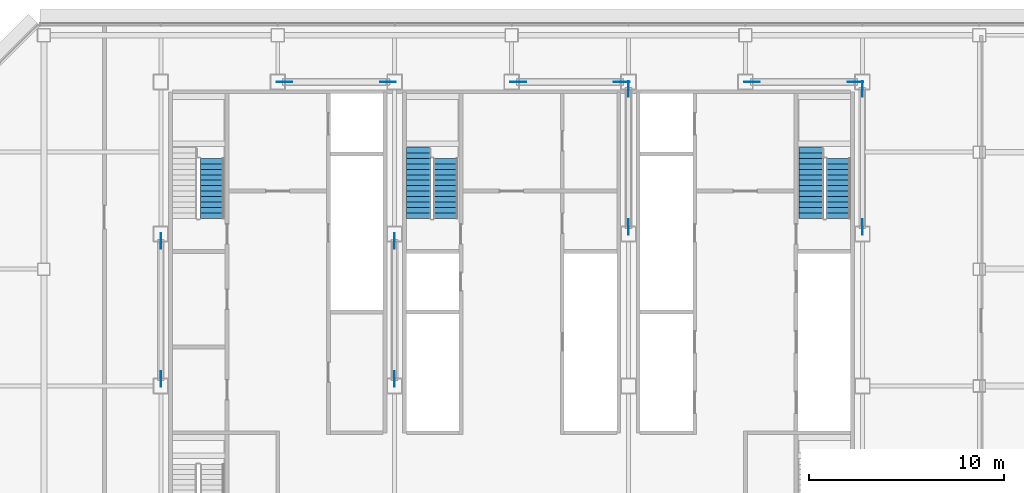
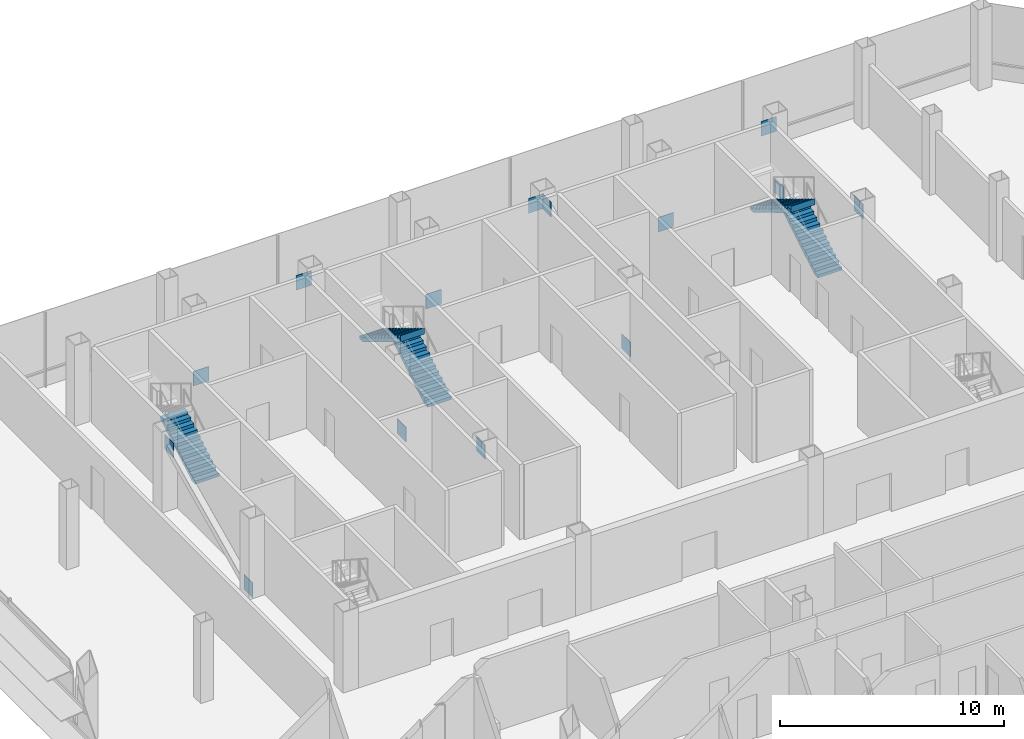
# One storey, part 23 of 26: 14 discrete accessories, 5 stair flights, 3 elements without a shape of their own.
"""IFC4 building model written with IfcOpenShell, lengths in metres."""

from ifc_helpers import new_model, si_unit, direction, frame, origin, origin_2d, place, context, subcontext, project, spatial, polyline, rectangle, outline, extrude, material, layer, layer_set, type_object, element, aggregate, save


model = new_model("IFC4")

# Units and contexts
model_context = context("Model", 3, precision=1e-05, world=origin(), true_north=direction((0.0, 1.0)))
body_context = subcontext(model_context, "Body", "Model", "MODEL_VIEW")
ifc_project = project(units=[si_unit("LENGTHUNIT", "METRE"), si_unit("AREAUNIT", "SQUARE_METRE"), si_unit("VOLUMEUNIT", "CUBIC_METRE"), si_unit("PLANEANGLEUNIT", "RADIAN"), si_unit("MASSUNIT", "GRAM", prefix="KILO")], contexts=[model_context])

# Site, building, storey
site_placement = place(None, origin())
site = spatial("IfcSite", under=ifc_project, at=site_placement, CompositionType="ELEMENT")
building_placement = place(site_placement, origin())
building = spatial("IfcBuilding", under=site, at=building_placement, Name="Sorahane Residences", CompositionType="ELEMENT")
storey_placement = place(building_placement, frame((0.0, 0.0, 181.60009765625)))
storey = spatial("IfcBuildingStorey", under=building, at=storey_placement, Name="L42", CompositionType="ELEMENT", Elevation=181.60009765625)

# Stair, stair flight
ifc_material_1 = material(Name="Concrete C40", Category="concrete")
stair_type = type_object("IfcStairType", Name="Dog-leg stair 1250 Concrete C40", PredefinedType="HALF_TURN_STAIR", material=ifc_material_1)
stair_1_placement = place(storey_placement, origin())
stair_1 = element("IfcStair", 1, at=stair_1_placement, inside=storey, type_object=stair_type, Name="L42 Stair S1", PredefinedType="HALF_TURN_STAIR")
ifc_material_2 = material(Name="Concrete C40", Category="concrete")
stair_flight_type = type_object("IfcStairFlightType", Name="Stair flight 1250 Concrete C40", PredefinedType="STRAIGHT", material=ifc_material_2)
stair_flight_1_placement = place(storey_placement, frame((8.625, 38.60009765625, 0.0), z_axis=(0.0, 0.0, 1.0), x_axis=(0.0, 1.0, 0.0)))
stair_flight_1 = element("IfcStairFlight", 2, at=stair_flight_1_placement, type_object=stair_flight_type, Name="S1 flight 1", NumberOfRisers=12, NumberOfTreads=11, PredefinedType="STRAIGHT", RiserHeight=0.169230769, TreadLength=0.28, context=body_context, shape_type="SweptSolid", body=[
    extrude(outline(polyline([(-0.00146484375, 0.0), (-0.00146484375, 0.169189453125), (0.0, 0.169189453125), (0.280029296875, 0.169189453125), (0.280029296875, 0.33837890625), (0.56005859375, 0.33837890625), (0.56005859375, 0.5078125), (0.840087890625, 0.5078125), (0.840087890625, 0.677001953125), (1.1201171875, 0.677001953125), (1.1201171875, 0.84619140625), (1.39990234375, 0.84619140625), (1.39990234375, 1.015380859375), (1.679931640625, 1.015380859375), (1.679931640625, 1.1845703125), (1.9599609375, 1.1845703125), (1.9599609375, 1.353759765625), (2.239990234375, 1.353759765625), (2.239990234375, 1.523193359375), (2.52001953125, 1.523193359375), (2.52001953125, 1.6923828125), (2.800048828125, 1.6923828125), (2.800048828125, 1.861572265625), (3.080078125, 1.861572265625), (3.080078125, 2.03076171875), (3.080078125, 1.686279296875), (2.865478515625, 1.556640625), (2.650634765625, 1.427001953125), (2.43603515625, 1.297119140625), (2.221435546875, 1.16748046875), (2.0068359375, 1.037841796875), (1.792236328125, 0.907958984375), (1.57763671875, 0.7783203125), (1.363037109375, 0.648681640625), (1.1484375, 0.518798828125), (0.93359375, 0.38916015625), (0.718994140625, 0.259521484375), (0.50439453125, 0.129638671875), (0.289794921875, 0.0), (-0.00146484375, 0.0)])), frame((0.0, 0.625, 0.0), z_axis=(0.0, -1.0, 0.0), x_axis=(1.0, 0.0, 0.0)), (0.0, 0.0, 1.0), 1.25),
])
aggregate(stair_1, [stair_flight_1])

# Stair, stair flights
stair_2_placement = place(storey_placement, origin())
stair_2 = element("IfcStair", 3, at=stair_2_placement, inside=storey, type_object=stair_type, Name="L42 Stair S2", PredefinedType="HALF_TURN_STAIR")
stair_flight_2_placement = place(storey_placement, frame((40.77490234375, 38.60009765625, 0.0), z_axis=(0.0, 0.0, 1.0), x_axis=(0.0, 1.0, 0.0)))
stair_flight_2 = element("IfcStairFlight", 4, at=stair_flight_2_placement, type_object=stair_flight_type, Name="S2 flight 1", NumberOfRisers=12, NumberOfTreads=11, PredefinedType="STRAIGHT", RiserHeight=0.169230769, TreadLength=0.28, context=body_context, shape_type="SweptSolid", body=[
    extrude(outline(polyline([(-0.00146484375, 0.0), (-0.00146484375, 0.169189453125), (0.0, 0.169189453125), (0.280029296875, 0.169189453125), (0.280029296875, 0.33837890625), (0.56005859375, 0.33837890625), (0.56005859375, 0.5078125), (0.840087890625, 0.5078125), (0.840087890625, 0.677001953125), (1.1201171875, 0.677001953125), (1.1201171875, 0.84619140625), (1.39990234375, 0.84619140625), (1.39990234375, 1.015380859375), (1.679931640625, 1.015380859375), (1.679931640625, 1.1845703125), (1.9599609375, 1.1845703125), (1.9599609375, 1.353759765625), (2.239990234375, 1.353759765625), (2.239990234375, 1.523193359375), (2.52001953125, 1.523193359375), (2.52001953125, 1.6923828125), (2.800048828125, 1.6923828125), (2.800048828125, 1.861572265625), (3.080078125, 1.861572265625), (3.080078125, 2.03076171875), (3.080078125, 1.686279296875), (2.865478515625, 1.556640625), (2.650634765625, 1.427001953125), (2.43603515625, 1.297119140625), (2.221435546875, 1.16748046875), (2.0068359375, 1.037841796875), (1.792236328125, 0.907958984375), (1.57763671875, 0.7783203125), (1.363037109375, 0.648681640625), (1.1484375, 0.518798828125), (0.93359375, 0.38916015625), (0.718994140625, 0.259521484375), (0.50439453125, 0.129638671875), (0.289794921875, 0.0), (-0.00146484375, 0.0)])), frame((0.0, 0.625, 0.0), z_axis=(0.0, -1.0, 0.0), x_axis=(1.0, 0.0, 0.0)), (0.0, 0.0, 1.0), 1.25),
])
stair_flight_3_placement = place(storey_placement, frame((39.375, 42.239990234375, 2.03076171875), z_axis=(0.0, 0.0, 1.0), x_axis=(0.0, -1.0, 0.0)))
stair_flight_3 = element("IfcStairFlight", 5, at=stair_flight_3_placement, type_object=stair_flight_type, Name="S2 flight 2", NumberOfRisers=14, NumberOfTreads=13, PredefinedType="STRAIGHT", RiserHeight=0.169230769, TreadLength=0.28, context=body_context, shape_type="SweptSolid", body=[
    extrude(outline(polyline([(-0.00146484375, 0.0), (-0.00146484375, 0.169189453125), (0.0, 0.169189453125), (0.280029296875, 0.169189453125), (0.280029296875, 0.33837890625), (0.56005859375, 0.33837890625), (0.56005859375, 0.5078125), (0.840087890625, 0.5078125), (0.840087890625, 0.677001953125), (1.1201171875, 0.677001953125), (1.1201171875, 0.84619140625), (1.39990234375, 0.84619140625), (1.39990234375, 1.015380859375), (1.679931640625, 1.015380859375), (1.679931640625, 1.1845703125), (1.9599609375, 1.1845703125), (1.9599609375, 1.353759765625), (2.239990234375, 1.353759765625), (2.239990234375, 1.523193359375), (2.52001953125, 1.523193359375), (2.52001953125, 1.6923828125), (2.800048828125, 1.6923828125), (2.800048828125, 1.861572265625), (3.080078125, 1.861572265625), (3.080078125, 2.03076171875), (3.360107421875, 2.03076171875), (3.360107421875, 2.199951171875), (3.639892578125, 2.199951171875), (3.639892578125, 2.369140625), (3.6416015625, 2.369140625), (3.6416015625, 2.02490234375), (3.41796875, 1.889892578125), (3.194580078125, 1.7548828125), (2.97119140625, 1.619873046875), (2.747802734375, 1.48486328125), (2.524169921875, 1.349853515625), (2.30078125, 1.21484375), (2.077392578125, 1.079833984375), (1.85400390625, 0.94482421875), (1.63037109375, 0.81005859375), (1.406982421875, 0.675048828125), (1.18359375, 0.5400390625), (0.960205078125, 0.405029296875), (0.73681640625, 0.27001953125), (0.51318359375, 0.135009765625), (0.289794921875, 0.0), (-0.00146484375, 0.0)])), frame((0.0, 0.625, 0.0), z_axis=(0.0, -1.0, 0.0), x_axis=(1.0, 0.0, 0.0)), (0.0, 0.0, 1.0), 1.25),
])
aggregate(stair_2, [stair_flight_2, stair_flight_3])

stair_3_placement = place(storey_placement, origin())
stair_3 = element("IfcStair", 6, at=stair_3_placement, inside=storey, type_object=stair_type, Name="L42 Stair S3", PredefinedType="HALF_TURN_STAIR")
stair_flight_4_placement = place(storey_placement, frame((20.625, 38.60009765625, 0.0), z_axis=(0.0, 0.0, 1.0), x_axis=(0.0, 1.0, 0.0)))
stair_flight_4 = element("IfcStairFlight", 7, at=stair_flight_4_placement, type_object=stair_flight_type, Name="S3 flight 1", NumberOfRisers=12, NumberOfTreads=11, PredefinedType="STRAIGHT", RiserHeight=0.169230769, TreadLength=0.28, context=body_context, shape_type="SweptSolid", body=[
    extrude(outline(polyline([(-0.00146484375, 0.0), (-0.00146484375, 0.169189453125), (0.0, 0.169189453125), (0.280029296875, 0.169189453125), (0.280029296875, 0.33837890625), (0.56005859375, 0.33837890625), (0.56005859375, 0.5078125), (0.840087890625, 0.5078125), (0.840087890625, 0.677001953125), (1.1201171875, 0.677001953125), (1.1201171875, 0.84619140625), (1.39990234375, 0.84619140625), (1.39990234375, 1.015380859375), (1.679931640625, 1.015380859375), (1.679931640625, 1.1845703125), (1.9599609375, 1.1845703125), (1.9599609375, 1.353759765625), (2.239990234375, 1.353759765625), (2.239990234375, 1.523193359375), (2.52001953125, 1.523193359375), (2.52001953125, 1.6923828125), (2.800048828125, 1.6923828125), (2.800048828125, 1.861572265625), (3.080078125, 1.861572265625), (3.080078125, 2.03076171875), (3.080078125, 1.686279296875), (2.865478515625, 1.556640625), (2.650634765625, 1.427001953125), (2.43603515625, 1.297119140625), (2.221435546875, 1.16748046875), (2.0068359375, 1.037841796875), (1.792236328125, 0.907958984375), (1.57763671875, 0.7783203125), (1.363037109375, 0.648681640625), (1.1484375, 0.518798828125), (0.93359375, 0.38916015625), (0.718994140625, 0.259521484375), (0.50439453125, 0.129638671875), (0.289794921875, 0.0), (-0.00146484375, 0.0)])), frame((0.0, 0.625, 0.0), z_axis=(0.0, -1.0, 0.0), x_axis=(1.0, 0.0, 0.0)), (0.0, 0.0, 1.0), 1.25),
])
stair_flight_5_placement = place(storey_placement, frame((19.22509765625, 42.239990234375, 2.03076171875), z_axis=(0.0, 0.0, 1.0), x_axis=(0.0, -1.0, 0.0)))
stair_flight_5 = element("IfcStairFlight", 8, at=stair_flight_5_placement, type_object=stair_flight_type, Name="S3 flight 2", NumberOfRisers=14, NumberOfTreads=13, PredefinedType="STRAIGHT", RiserHeight=0.169230769, TreadLength=0.28, context=body_context, shape_type="SweptSolid", body=[
    extrude(outline(polyline([(-0.00146484375, 0.0), (-0.00146484375, 0.169189453125), (0.0, 0.169189453125), (0.280029296875, 0.169189453125), (0.280029296875, 0.33837890625), (0.56005859375, 0.33837890625), (0.56005859375, 0.5078125), (0.840087890625, 0.5078125), (0.840087890625, 0.677001953125), (1.1201171875, 0.677001953125), (1.1201171875, 0.84619140625), (1.39990234375, 0.84619140625), (1.39990234375, 1.015380859375), (1.679931640625, 1.015380859375), (1.679931640625, 1.1845703125), (1.9599609375, 1.1845703125), (1.9599609375, 1.353759765625), (2.239990234375, 1.353759765625), (2.239990234375, 1.523193359375), (2.52001953125, 1.523193359375), (2.52001953125, 1.6923828125), (2.800048828125, 1.6923828125), (2.800048828125, 1.861572265625), (3.080078125, 1.861572265625), (3.080078125, 2.03076171875), (3.360107421875, 2.03076171875), (3.360107421875, 2.199951171875), (3.639892578125, 2.199951171875), (3.639892578125, 2.369140625), (3.6416015625, 2.369140625), (3.6416015625, 2.02490234375), (3.41796875, 1.889892578125), (3.194580078125, 1.7548828125), (2.97119140625, 1.619873046875), (2.747802734375, 1.48486328125), (2.524169921875, 1.349853515625), (2.30078125, 1.21484375), (2.077392578125, 1.079833984375), (1.85400390625, 0.94482421875), (1.63037109375, 0.81005859375), (1.406982421875, 0.675048828125), (1.18359375, 0.5400390625), (0.960205078125, 0.405029296875), (0.73681640625, 0.27001953125), (0.51318359375, 0.135009765625), (0.289794921875, 0.0), (-0.00146484375, 0.0)])), frame((0.0, 0.625, 0.0), z_axis=(0.0, -1.0, 0.0), x_axis=(1.0, 0.0, 0.0)), (0.0, 0.0, 1.0), 1.25),
])
aggregate(stair_3, [stair_flight_4, stair_flight_5])

# Discrete accessories
ifc_material_3 = material(Name="Steel Q355B", Category="steel")
ifc_layer = layer(ifc_material_3, 0.02490234375)
ifc_layer_set = layer_set([ifc_layer], Name="Node plate Steel Q355B 25")
discrete_accessory_type = type_object("IfcDiscreteAccessoryType", Name="Node plate Steel Q355B 25", PredefinedType="BRACKET", material=ifc_layer_set)
for number, where, z_axis, x_axis, name in (
    (9, (6.0, 30.355224609375, -0.24609375), (0.0, 0.0, 1.0), (0.0, 1.0, 0.0), "Node plate L42 br"),
    (10, (6.0, 37.44482421875, 3.09619140625), (0.0, 0.0, 1.0), (0.0, 1.0, 0.0), "Node plate L42 br"),
    (11, (18.0, 37.44482421875, -0.24609375), (0.0, 0.0, 1.0), (0.0, 1.0, 0.0), "Node plate L42 br"),
    (12, (18.0, 30.355224609375, 3.09619140625), (0.0, 0.0, 1.0), (0.0, 1.0, 0.0), "Node plate L42 br"),
    (13, (30.0, 38.1552734375, -0.24609375), (0.0, 0.0, 1.0), (0.0, 1.0, 0.0), "Node plate L42 br"),
    (14, (30.0, 45.244873046875, 3.09619140625), (0.0, 0.0, 1.0), (0.0, 1.0, 0.0), "Node plate L42 br"),
    (15, (42.0, 45.244873046875, -0.24609375), (0.0, 0.0, 1.0), (0.0, 1.0, 0.0), "Node plate L42 br"),
    (16, (42.0, 38.1552734375, 3.09619140625), (0.0, 0.0, 1.0), (0.0, 1.0, 0.0), "Node plate L42 br"),
    (17, (12.34375, 45.60009765625, -0.2607421875), (0.0, 0.0, 1.0), (1.0, 0.0, 0.0), "Node plate L42 br"),
    (18, (24.34375, 45.60009765625, -0.2607421875), (0.0, 0.0, 1.0), (1.0, 0.0, 0.0), "Node plate L42 br"),
    (19, (36.34375, 45.60009765625, -0.2607421875), (0.0, 0.0, 1.0), (1.0, 0.0, 0.0), "Node plate L42 br"),
    (20, (17.65625, 45.60009765625, 3.1103515625), (0.0, 0.0, 1.0), (1.0, 0.0, 0.0), "Node plate L42 br"),
    (21, (29.65625, 45.60009765625, 3.1103515625), (0.0, 0.0, 1.0), (1.0, 0.0, 0.0), "Node plate L42 br"),
    (22, (41.65625, 45.60009765625, 3.1103515625), (0.0, 0.0, 1.0), (1.0, 0.0, 0.0), "Node plate L42 br"),
):
    element("IfcDiscreteAccessory", number, at=place(storey_placement, frame(where, z_axis=z_axis, x_axis=x_axis)), inside=storey, type_object=discrete_accessory_type, Name=name, PredefinedType="BRACKET", context=body_context, shape_type="SweptSolid", body=[
        extrude(rectangle(XDim=0.800048828125, YDim=0.02490234375, at=origin_2d()), origin(), (0.0, 0.0, 1.0), 0.800048828125),
    ])

save(model, "model.ifc")
